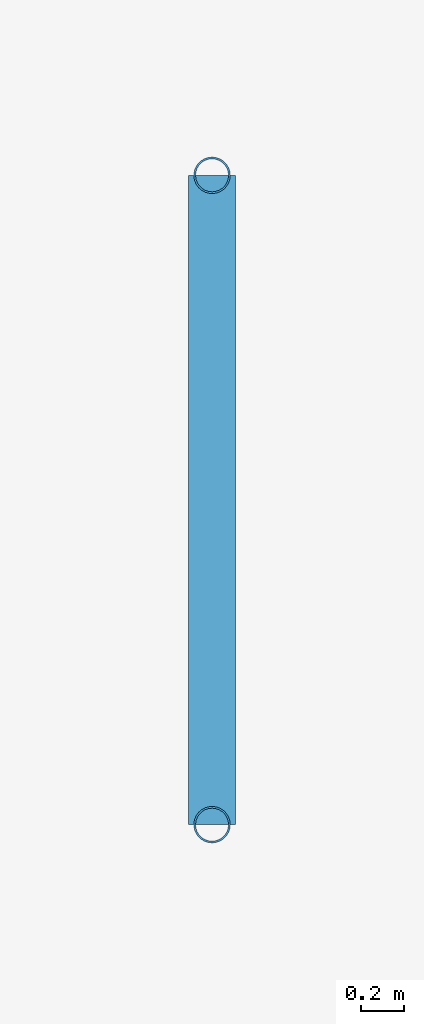
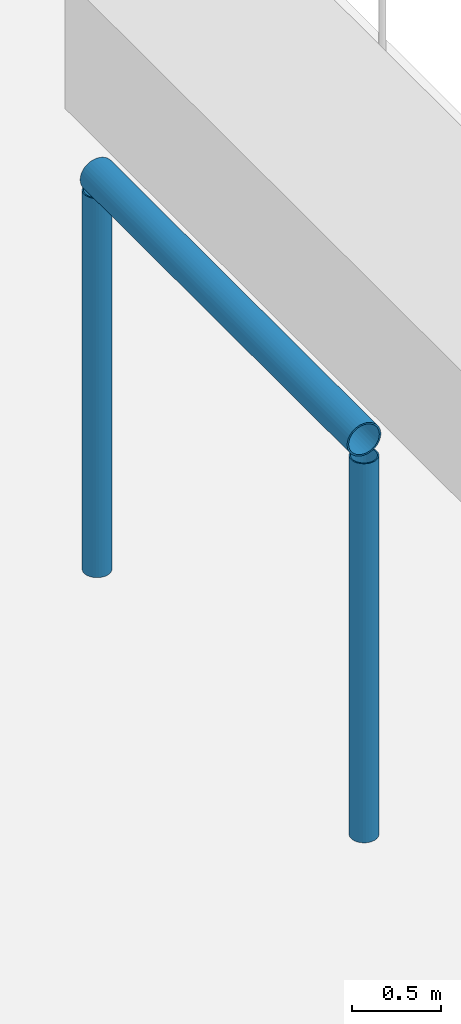
# One storey, part 10 of 34: 3 members.
"""IFC4 building model written with IfcOpenShell, lengths in metres."""

from ifc_helpers import new_model, si_unit, direction, frame, origin, origin_2d, place, context, subcontext, project, spatial, hollow_circle, extrude, material, material_profile, profile_set, type_object, element, save


model = new_model("IFC4")

# Units and contexts
model_context = context("Model", 3, precision=1e-05, world=origin(), true_north=direction((0.0, 1.0)))
body_context = subcontext(model_context, "Body", "Model", "MODEL_VIEW")
ifc_project = project(units=[si_unit("LENGTHUNIT", "METRE"), si_unit("AREAUNIT", "SQUARE_METRE"), si_unit("VOLUMEUNIT", "CUBIC_METRE"), si_unit("PLANEANGLEUNIT", "RADIAN"), si_unit("MASSUNIT", "GRAM", prefix="KILO")], contexts=[model_context])

# Site, building, storey
site_placement = place(None, origin())
site = spatial("IfcSite", under=ifc_project, at=site_placement, CompositionType="ELEMENT")
building_placement = place(site_placement, origin())
building = spatial("IfcBuilding", under=site, at=building_placement, Name="Amberfall Residences", CompositionType="ELEMENT")
storey_placement = place(building_placement, frame((0.0, 0.0, 5.5)))
storey = spatial("IfcBuildingStorey", under=building, at=storey_placement, Name="L01", CompositionType="ELEMENT", Elevation=5.5)

# Members
ifc_material = material(Name="Steel S355", Category="steel")
ifc_material_profile_1 = material_profile(ifc_material, hollow_circle(Radius=0.109619140625, WallThickness=0.010009765625, at=origin_2d()), Name="CHS 219.1x10")
ifc_profile_set_1 = profile_set([ifc_material_profile_1], Name="Steel S355")
member_type_1 = type_object("IfcMemberType", Name="Pergola beam CHS 219.1x10", PredefinedType="STRUT", material=ifc_profile_set_1)
member_placement = place(storey_placement, frame((134.0, 20.0, 2.70947265625), z_axis=(0.0, 1.0, 0.0), x_axis=(-1.0, 0.0, 0.0)))
element("IfcMember", 1, at=member_placement, inside=storey, type_object=member_type_1, Name="Pergola beam C4", PredefinedType="STRUT", context=body_context, shape_type="SweptSolid", body=[
    extrude(hollow_circle(Radius=0.109619140625, WallThickness=0.010009765625, at=origin_2d()), origin(), (0.0, 0.0, 1.0), 3.0),
])
ifc_material_profile_2 = material_profile(ifc_material, hollow_circle(Radius=0.084228515625, WallThickness=0.008056640625, at=origin_2d()), Name="CHS 168.3x8")
ifc_profile_set_2 = profile_set([ifc_material_profile_2], Name="Steel S355")
member_type_2 = type_object("IfcMemberType", Name="Pergola post CHS 168.3x8", PredefinedType="POST", material=ifc_profile_set_2)
for number, where, z_axis, x_axis, name in (
    (2, (134.0, 20.0, 0.0), (0.0, 0.0, 1.0), (1.0, 0.0, 0.0), "Pergola post C4"),
    (3, (134.0, 23.0, 0.0), (0.0, 0.0, 1.0), (1.0, 0.0, 0.0), "Pergola post C4"),
):
    element("IfcMember", number, at=place(storey_placement, frame(where, z_axis=z_axis, x_axis=x_axis)), inside=storey, type_object=member_type_2, Name=name, PredefinedType="POST", context=body_context, shape_type="SweptSolid", body=[
        extrude(hollow_circle(Radius=0.084228515625, WallThickness=0.008056640625, at=origin_2d()), origin(), (0.0, 0.0, 1.0), 2.60009765625),
    ])

save(model, "model.ifc")
